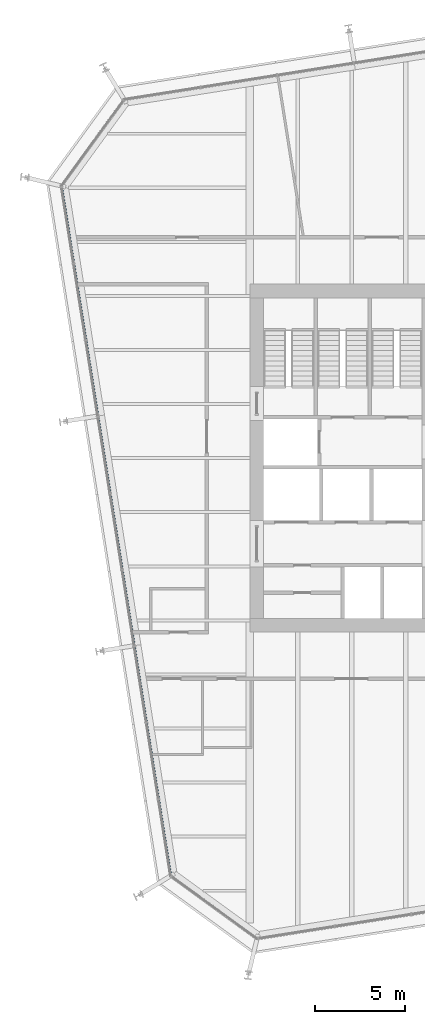
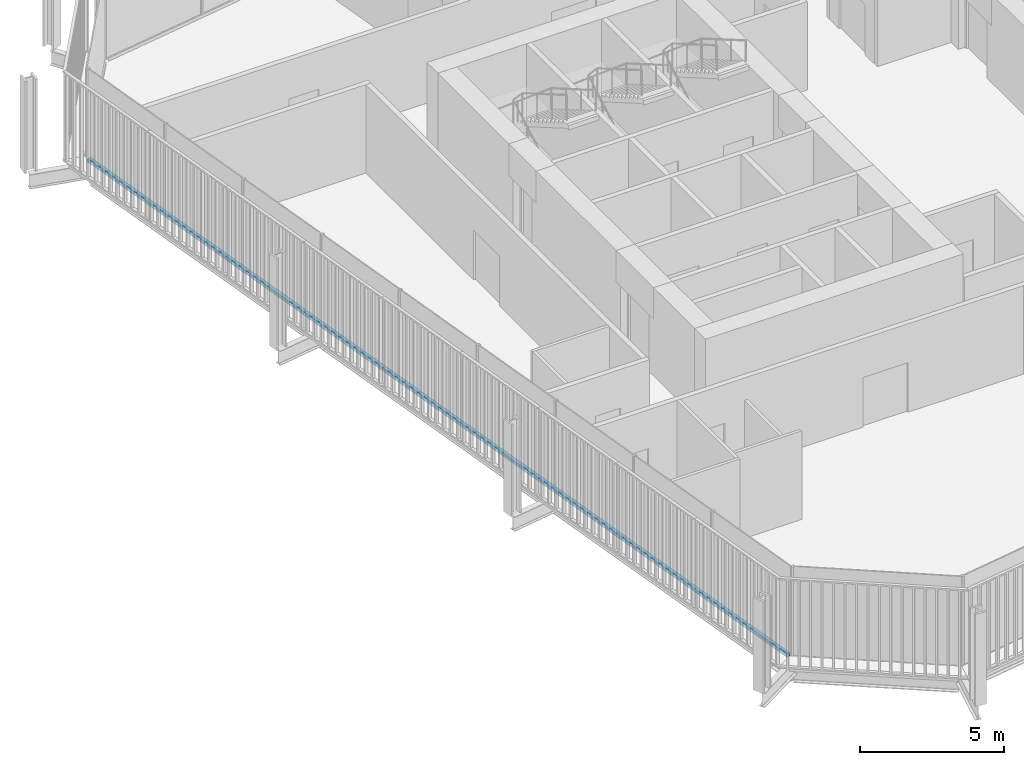
# One storey, part 5 of 21: 1 member, 1 element without a shape of its own.
"""IFC4 building model written with IfcOpenShell, lengths in metres."""

from ifc_helpers import new_model, si_unit, direction, frame, origin, origin_2d, place, context, subcontext, project, spatial, rectangle, extrude, material, layer, layer_set, material_profile, profile_set, type_object, element, aggregate, save


model = new_model("IFC4")

# Units and contexts
model_context = context("Model", 3, precision=1e-05, world=origin(), true_north=direction((0.0, 1.0)))
body_context = subcontext(model_context, "Body", "Model", "MODEL_VIEW")
ifc_project = project(units=[si_unit("LENGTHUNIT", "METRE"), si_unit("AREAUNIT", "SQUARE_METRE"), si_unit("VOLUMEUNIT", "CUBIC_METRE"), si_unit("PLANEANGLEUNIT", "RADIAN"), si_unit("MASSUNIT", "GRAM", prefix="KILO")], contexts=[model_context])

# Site, building, storey
site_placement = place(None, origin())
site = spatial("IfcSite", under=ifc_project, at=site_placement, CompositionType="ELEMENT")
building_placement = place(site_placement, origin())
building = spatial("IfcBuilding", under=site, at=building_placement, Name="Millrace Tower", CompositionType="ELEMENT")
storey_placement = place(building_placement, frame((0.0, 0.0, 156.800048828125)))
storey = spatial("IfcBuildingStorey", under=building, at=storey_placement, Name="L35", CompositionType="ELEMENT", Elevation=156.800048828125)

# Curtain wall, member
ifc_material_1 = material(Name="Aluminium and glass", Category="aluminium")
ifc_layer = layer(ifc_material_1, 0.14990234375)
ifc_layer_set = layer_set([ifc_layer], Name="Aluminium and glass")
curtain_wall_type = type_object("IfcCurtainWallType", Name="CW-1 office vision curtain wall", PredefinedType="NOTDEFINED", material=ifc_layer_set)
curtain_wall_placement = place(storey_placement, origin())
curtain_wall = element("IfcCurtainWall", 1, at=curtain_wall_placement, inside=storey, type_object=curtain_wall_type, Name="Curtain wall C-F08 L35", PredefinedType="NOTDEFINED")
ifc_material_2 = material(Name="Aluminium", Category="aluminium")
ifc_material_profile = material_profile(ifc_material_2, rectangle(XDim=0.14990234375, YDim=0.139892578125, at=origin_2d()))
ifc_profile_set = profile_set([ifc_material_profile], Name="Aluminium")
member_type = type_object("IfcMemberType", Name="CW-1 office vision curtain wall transom", PredefinedType="USERDEFINED", material=ifc_profile_set)
member_placement = place(storey_placement, frame((-25.09619140625, 14.97509765625, 0.070068359375), z_axis=(0.156433422663, -0.987688505691, 0.0), x_axis=(0.987688505691, 0.156433422663, 0.0)))
member = element("IfcMember", 2, at=member_placement, type_object=member_type, Name="CW1 transom C-F08.1", ObjectType="TRANSOM", PredefinedType="USERDEFINED", context=body_context, shape_type="SweptSolid", body=[
    extrude(rectangle(XDim=0.14990234375, YDim=0.139892578125, at=origin_2d()), origin(), (0.0, 0.0, 1.0), 38.5),
])
aggregate(curtain_wall, [member])

save(model, "model.ifc")
